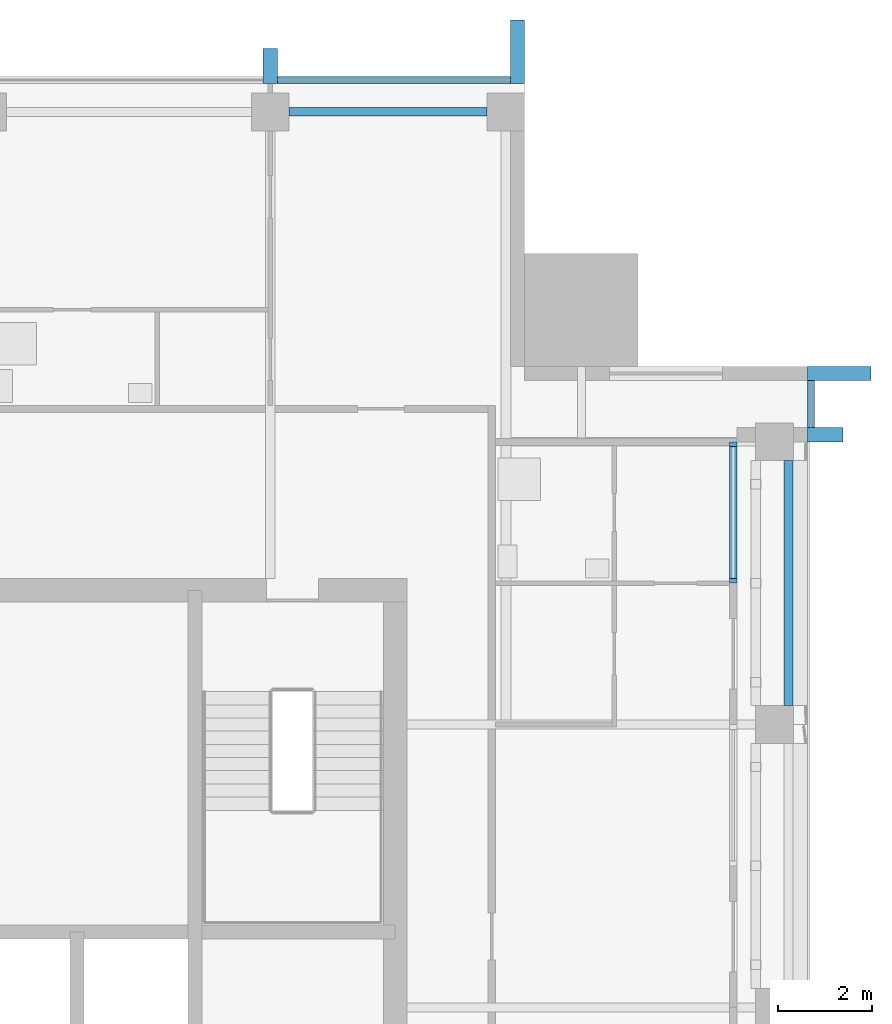
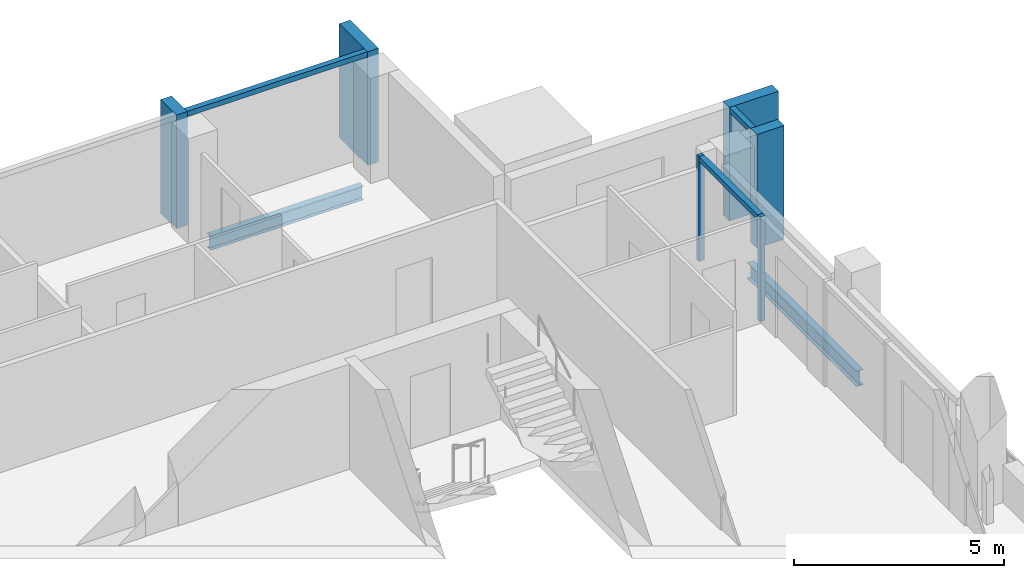
# One storey, part 5 of 15: 9 members, 2 beams, 3 elements without a shape of their own.
"""IFC4 building model written with IfcOpenShell, lengths in metres."""

from ifc_helpers import new_model, si_unit, direction, frame, origin, origin_2d, place, context, subcontext, project, spatial, rectangle, i_section, extrude, material, material_profile, profile_set, type_object, element, aggregate, save


model = new_model("IFC4")

# Units and contexts
model_context = context("Model", 3, precision=1e-05, world=origin(), true_north=direction((0.0, 1.0)))
body_context = subcontext(model_context, "Body", "Model", "MODEL_VIEW")
ifc_project = project(units=[si_unit("LENGTHUNIT", "METRE"), si_unit("AREAUNIT", "SQUARE_METRE"), si_unit("VOLUMEUNIT", "CUBIC_METRE"), si_unit("PLANEANGLEUNIT", "RADIAN"), si_unit("MASSUNIT", "GRAM", prefix="KILO")], contexts=[model_context])

# Site, building, storey
site_placement = place(None, origin())
site = spatial("IfcSite", under=ifc_project, at=site_placement, CompositionType="ELEMENT")
building_placement = place(site_placement, origin())
building = spatial("IfcBuilding", under=site, at=building_placement, Name="Amberfall Residences", CompositionType="ELEMENT")
storey_placement = place(building_placement, frame((0.0, 0.0, 268.60009765625)))
storey = spatial("IfcBuildingStorey", under=building, at=storey_placement, Name="L72", CompositionType="ELEMENT", Elevation=268.60009765625)

# Curtain wall, member
ifc_material_1 = material(Name="Bronze anodised aluminium and glass", Category="aluminium")
curtain_wall_type_1 = type_object("IfcCurtainWallType", Name="Curtain wall CW1 tower unit", PredefinedType="USERDEFINED", material=ifc_material_1)
curtain_wall_1_placement = place(storey_placement, origin())
curtain_wall_1 = element("IfcCurtainWall", 1, at=curtain_wall_1_placement, inside=storey, type_object=curtain_wall_type_1, Name="Curtain wall L72 E E7", ObjectType="UNITISED CURTAIN WALL", PredefinedType="USERDEFINED")
ifc_material_2 = material(Name="Bronze anodised aluminium", Category="aluminium")
ifc_material_profile_1 = material_profile(ifc_material_2, rectangle(XDim=0.14990234375, YDim=0.14990234375, at=origin_2d()), Name="CW1 transom 150 x 150 bronze")
ifc_profile_set_1 = profile_set([ifc_material_profile_1], Name="Bronze anodised aluminium")
member_type_1 = type_object("IfcMemberType", Name="CW1 transom 150 x 150 bronze", PredefinedType="USERDEFINED", material=ifc_profile_set_1)
member_1_placement = place(storey_placement, frame((95.074951171875, 60.699951171875, 2.974853515625), z_axis=(0.0, 1.0, 0.0), x_axis=(-1.0, 0.0, 0.0)))
member_1 = element("IfcMember", 2, at=member_1_placement, type_object=member_type_1, Name="CW1 transom 1.1", ObjectType="TRANSOM", PredefinedType="USERDEFINED", context=body_context, shape_type="SweptSolid", body=[
    extrude(rectangle(XDim=0.14990234375, YDim=0.14990234375, at=origin_2d()), origin(), (0.0, 0.0, 1.0), 1.0),
])

curtain_wall_2_placement = place(storey_placement, origin())
curtain_wall_2 = element("IfcCurtainWall", 3, at=curtain_wall_2_placement, inside=storey, type_object=curtain_wall_type_1, Name="Curtain wall L72 N N1", ObjectType="UNITISED CURTAIN WALL", PredefinedType="USERDEFINED")
member_2_placement = place(storey_placement, frame((88.699951171875, 68.074951171875, 2.974853515625), z_axis=(-1.0, 0.0, 0.0), x_axis=(0.0, -1.0, 0.0)))
member_2 = element("IfcMember", 4, at=member_2_placement, type_object=member_type_1, Name="CW1 transom 1.1", ObjectType="TRANSOM", PredefinedType="USERDEFINED", context=body_context, shape_type="SweptSolid", body=[
    extrude(rectangle(XDim=0.14990234375, YDim=0.14990234375, at=origin_2d()), origin(), (0.0, 0.0, 1.0), 4.949951171875),
])

# Curtain wall, members
curtain_wall_type_2 = type_object("IfcCurtainWallType", Name="Curtain wall CW3 sky garden glazing", PredefinedType="USERDEFINED", material=ifc_material_1)
curtain_wall_3_placement = place(storey_placement, origin())
curtain_wall_3 = element("IfcCurtainWall", 5, at=curtain_wall_3_placement, inside=storey, type_object=curtain_wall_type_2, Name="Curtain wall L72 E E5", ObjectType="UNITISED CURTAIN WALL", PredefinedType="USERDEFINED")
ifc_material_profile_2 = material_profile(ifc_material_2, rectangle(XDim=0.14990234375, YDim=0.10009765625, at=origin_2d()), Name="CW3 mullion 100 x 150 bronze")
ifc_profile_set_2 = profile_set([ifc_material_profile_2], Name="Bronze anodised aluminium")
member_type_2 = type_object("IfcMemberType", Name="CW3 mullion 100 x 150 bronze", PredefinedType="MULLION", material=ifc_profile_set_2)
member_3_placement = place(storey_placement, frame((93.425048828125, 57.449951171875, 0.0), z_axis=(0.0, 0.0, 1.0), x_axis=(-1.0, 0.0, 0.0)))
member_3 = element("IfcMember", 6, at=member_3_placement, type_object=member_type_2, Name="CW3 mullion 1", PredefinedType="MULLION", context=body_context, shape_type="SweptSolid", body=[
    extrude(rectangle(XDim=0.14990234375, YDim=0.10009765625, at=origin_2d()), origin(), (0.0, 0.0, 1.0), 3.0498046875),
])
member_4_placement = place(storey_placement, frame((93.425048828125, 60.35009765625, 0.0), z_axis=(0.0, 0.0, 1.0), x_axis=(-1.0, 0.0, 0.0)))
member_4 = element("IfcMember", 7, at=member_4_placement, type_object=member_type_2, Name="CW3 mullion 2", PredefinedType="MULLION", context=body_context, shape_type="SweptSolid", body=[
    extrude(rectangle(XDim=0.14990234375, YDim=0.10009765625, at=origin_2d()), origin(), (0.0, 0.0, 1.0), 3.0498046875),
])
ifc_material_profile_3 = material_profile(ifc_material_2, rectangle(XDim=0.14990234375, YDim=0.14990234375, at=origin_2d()), Name="CW3 transom 150 x 150 bronze")
ifc_profile_set_3 = profile_set([ifc_material_profile_3], Name="Bronze anodised aluminium")
member_type_3 = type_object("IfcMemberType", Name="CW3 transom 150 x 150 bronze", PredefinedType="USERDEFINED", material=ifc_profile_set_3)
member_5_placement = place(storey_placement, frame((93.425048828125, 57.5, 2.974853515625), z_axis=(0.0, 1.0, 0.0), x_axis=(-1.0, 0.0, 0.0)))
member_5 = element("IfcMember", 8, at=member_5_placement, type_object=member_type_3, Name="CW3 transom 1.1", ObjectType="TRANSOM", PredefinedType="USERDEFINED", context=body_context, shape_type="SweptSolid", body=[
    extrude(rectangle(XDim=0.14990234375, YDim=0.14990234375, at=origin_2d()), origin(), (0.0, 0.0, 1.0), 2.800048828125),
])
aggregate(curtain_wall_3, [member_3, member_4, member_5])

# Member
ifc_material_profile_4 = material_profile(ifc_material_2, rectangle(XDim=1.35009765625, YDim=0.300048828125, at=origin_2d()), Name="Corner fin 300 x 1350 bronze")
ifc_profile_set_4 = profile_set([ifc_material_profile_4], Name="Bronze anodised aluminium")
member_type_4 = type_object("IfcMemberType", Name="Corner fin 300 x 1350 bronze", PredefinedType="MULLION", material=ifc_profile_set_4)
member_6_placement = place(storey_placement, frame((95.675048828125, 61.85009765625, -0.25), z_axis=(0.0, 0.0, 1.0), x_axis=(-1.0, 0.0, 0.0)))
member_6 = element("IfcMember", 9, at=member_6_placement, type_object=member_type_4, Name="CW FIN 2", PredefinedType="MULLION", context=body_context, shape_type="SweptSolid", body=[
    extrude(rectangle(XDim=1.35009765625, YDim=0.300048828125, at=origin_2d()), origin(), (0.0, 0.0, 1.0), 3.2998046875),
])

member_7_placement = place(storey_placement, frame((88.85009765625, 68.675048828125, -0.25), z_axis=(0.0, 0.0, 1.0), x_axis=(0.0, -1.0, 0.0)))
member_7 = element("IfcMember", 10, at=member_7_placement, type_object=member_type_4, Name="CW FIN 1", PredefinedType="MULLION", context=body_context, shape_type="SweptSolid", body=[
    extrude(rectangle(XDim=1.35009765625, YDim=0.300048828125, at=origin_2d()), origin(), (0.0, 0.0, 1.0), 3.2998046875),
])

# Beams
ifc_material_3 = material(Name="Steel S355", Category="steel")
ifc_material_profile_5 = material_profile(ifc_material_3, i_section(OverallWidth=0.177734375, OverallDepth=0.402587890625, WebThickness=0.0078125, FlangeThickness=0.010986328125, FilletRadius=0.01025390625, at=origin_2d()), Name="UB 406x178x54")
ifc_profile_set_5 = profile_set([ifc_material_profile_5], Name="Steel S355")
beam_type_1 = type_object("IfcBeamType", Name="Edge beam UB 406x178x54", PredefinedType="SPANDREL", material=ifc_profile_set_5)
beam_1_placement = place(storey_placement, frame((84.0, 67.39990234375, -0.451416015625), z_axis=(1.0, 0.0, 0.0), x_axis=(0.0, 1.0, 0.0)))
element("IfcBeam", 11, at=beam_1_placement, inside=storey, type_object=beam_type_1, Name="Edge beam B14 L72 29", PredefinedType="SPANDREL", context=body_context, shape_type="SweptSolid", body=[
    extrude(i_section(OverallWidth=0.177734375, OverallDepth=0.402587890625, WebThickness=0.0078125, FlangeThickness=0.010986328125, FilletRadius=0.01025390625, at=origin_2d()), origin(), (0.0, 0.0, 1.0), 4.199951171875),
])
ifc_material_profile_6 = material_profile(ifc_material_3, i_section(OverallWidth=0.18994140625, OverallDepth=0.453369140625, WebThickness=0.008544921875, FlangeThickness=0.0126953125, FilletRadius=0.01025390625, at=origin_2d()), Name="UB 457x191x67")
ifc_profile_set_6 = profile_set([ifc_material_profile_6], Name="Steel S355")
beam_type_2 = type_object("IfcBeamType", Name="Edge beam UB 457x191x67", PredefinedType="SPANDREL", material=ifc_profile_set_6)
beam_2_placement = place(storey_placement, frame((94.60009765625, 54.800048828125, -0.476806640625), z_axis=(0.0, 1.0, 0.0), x_axis=(-1.0, 0.0, 0.0)))
element("IfcBeam", 12, at=beam_2_placement, inside=storey, type_object=beam_type_2, Name="Edge beam B1 L72 17", PredefinedType="SPANDREL", context=body_context, shape_type="SweptSolid", body=[
    extrude(i_section(OverallWidth=0.18994140625, OverallDepth=0.453369140625, WebThickness=0.008544921875, FlangeThickness=0.0126953125, FilletRadius=0.01025390625, at=origin_2d()), origin(), (0.0, 0.0, 1.0), 5.199951171875),
])

# Member
ifc_material_profile_7 = material_profile(ifc_material_2, rectangle(XDim=0.75, YDim=0.300048828125, at=origin_2d()), Name="Fin 300 x 750 bronze")
ifc_profile_set_7 = profile_set([ifc_material_profile_7], Name="Bronze anodised aluminium")
member_type_5 = type_object("IfcMemberType", Name="Fin 300 x 750 bronze", PredefinedType="MULLION", material=ifc_profile_set_7)
member_8_placement = place(storey_placement, frame((95.375, 60.550048828125, -0.25), z_axis=(0.0, 0.0, 1.0), x_axis=(-1.0, 0.0, 0.0)))
member_8 = element("IfcMember", 13, at=member_8_placement, type_object=member_type_5, Name="CW FIN 1", PredefinedType="MULLION", context=body_context, shape_type="SweptSolid", body=[
    extrude(rectangle(XDim=0.75, YDim=0.300048828125, at=origin_2d()), origin(), (0.0, 0.0, 1.0), 3.2998046875),
])

aggregate(curtain_wall_1, [member_8, member_6, member_1])

member_9_placement = place(storey_placement, frame((83.60009765625, 68.375, -0.25), z_axis=(0.0, 0.0, 1.0), x_axis=(0.0, -1.0, 0.0)))
member_9 = element("IfcMember", 14, at=member_9_placement, type_object=member_type_5, Name="CW FIN 2", PredefinedType="MULLION", context=body_context, shape_type="SweptSolid", body=[
    extrude(rectangle(XDim=0.75, YDim=0.300048828125, at=origin_2d()), origin(), (0.0, 0.0, 1.0), 3.2998046875),
])

aggregate(curtain_wall_2, [member_7, member_9, member_2])

save(model, "model.ifc")
